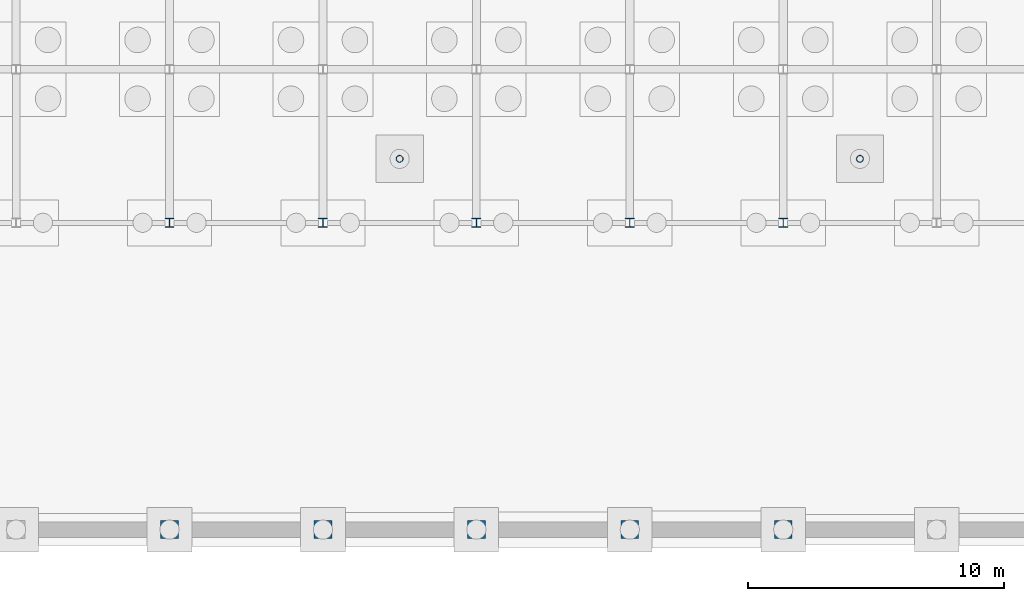
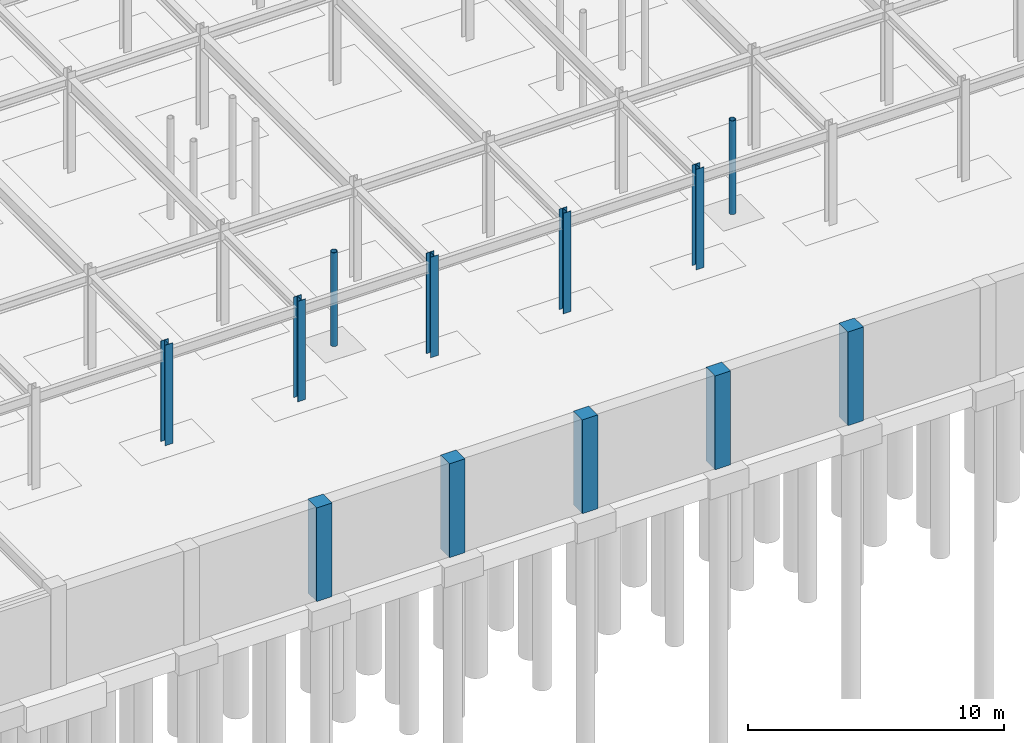
# One storey, part 16 of 69: 12 columns.
"""IFC4 building model written with IfcOpenShell, lengths in metres."""

from ifc_helpers import new_model, si_unit, direction, frame, origin, origin_2d, place, context, subcontext, project, spatial, rectangle, hollow_circle, i_section, extrude, material, material_profile, profile_set, type_object, element, save


model = new_model("IFC4")

# Units and contexts
model_context = context("Model", 3, precision=1e-05, world=origin(), true_north=direction((0.0, 1.0)))
body_context = subcontext(model_context, "Body", "Model", "MODEL_VIEW")
ifc_project = project(units=[si_unit("LENGTHUNIT", "METRE"), si_unit("AREAUNIT", "SQUARE_METRE"), si_unit("VOLUMEUNIT", "CUBIC_METRE"), si_unit("PLANEANGLEUNIT", "RADIAN"), si_unit("MASSUNIT", "GRAM", prefix="KILO")], contexts=[model_context])

# Site, building, storey
site_placement = place(None, origin())
site = spatial("IfcSite", under=ifc_project, at=site_placement, CompositionType="ELEMENT")
building_placement = place(site_placement, origin())
building = spatial("IfcBuilding", under=site, at=building_placement, Name="Zlatovratsky Civic Hall", CompositionType="ELEMENT")
storey_placement = place(building_placement, frame((0.0, 0.0, -4.800048828125)))
storey = spatial("IfcBuildingStorey", under=building, at=storey_placement, Name="B1", CompositionType="ELEMENT", Elevation=-4.800048828125)

# Columns
ifc_material_1 = material(Name="Concrete C35/45 (B40)", Category="concrete")
ifc_material_profile_1 = material_profile(ifc_material_1, rectangle(XDim=0.699951171875, YDim=0.699951171875, at=origin_2d()), Name="RC 700x700")
ifc_profile_set_1 = profile_set([ifc_material_profile_1], Name="Concrete C35/45 (B40)")
column_type_1 = type_object("IfcColumnType", Name="Col_CorePier_RC700", PredefinedType="COLUMN", material=ifc_profile_set_1)
for number, where, z_axis, x_axis, name in (
    (1, (66.0, 0.0, 0.0), (0.0, 0.0, 1.0), (1.0, 0.0, 0.0), "CL-0011"),
    (2, (72.0, 0.0, 0.0), (0.0, 0.0, 1.0), (1.0, 0.0, 0.0), "CL-0012"),
    (3, (78.0, 0.0, 0.0), (0.0, 0.0, 1.0), (1.0, 0.0, 0.0), "CL-0013"),
    (4, (84.0, 0.0, 0.0), (0.0, 0.0, 1.0), (1.0, 0.0, 0.0), "CL-0014"),
    (5, (90.0, 0.0, 0.0), (0.0, 0.0, 1.0), (1.0, 0.0, 0.0), "CL-0015"),
):
    element("IfcColumn", number, at=place(storey_placement, frame(where, z_axis=z_axis, x_axis=x_axis)), inside=storey, type_object=column_type_1, Name=name, PredefinedType="COLUMN", context=body_context, shape_type="SweptSolid", body=[
        extrude(rectangle(XDim=0.699951171875, YDim=0.699951171875, at=origin_2d()), origin(), (0.0, 0.0, 1.0), 4.47998046875),
    ])
ifc_material_2 = material(Name="Steel S355", Category="steel")
ifc_material_profile_2 = material_profile(ifc_material_2, hollow_circle(Radius=0.136474609375, WallThickness=0.010009765625, at=origin_2d()), Name="CHS 273x10")
ifc_profile_set_2 = profile_set([ifc_material_profile_2], Name="Steel S355")
column_type_2 = type_object("IfcColumnType", Name="Col_Portico_CHS273", PredefinedType="COLUMN", material=ifc_profile_set_2)
for number, where, z_axis, x_axis, name in (
    (6, (75.0, 14.5, 0.0), (0.0, 0.0, 1.0), (1.0, 0.0, 0.0), "CL-2755"),
    (7, (93.0, 14.5, 0.0), (0.0, 0.0, 1.0), (1.0, 0.0, 0.0), "CL-2758"),
):
    element("IfcColumn", number, at=place(storey_placement, frame(where, z_axis=z_axis, x_axis=x_axis)), inside=storey, type_object=column_type_2, Name=name, PredefinedType="COLUMN", context=body_context, shape_type="SweptSolid", body=[
        extrude(hollow_circle(Radius=0.136474609375, WallThickness=0.010009765625, at=origin_2d()), origin(), (0.0, 0.0, 1.0), 4.47998046875),
    ])
ifc_material_profile_3 = material_profile(ifc_material_2, i_section(OverallWidth=0.35009765625, OverallDepth=0.35009765625, WebThickness=0.011962890625, FlangeThickness=0.01904296875, FilletRadius=0.02001953125, at=origin_2d()), Name="35K2")
ifc_profile_set_3 = profile_set([ifc_material_profile_3], Name="Steel S355")
column_type_3 = type_object("IfcColumnType", Name="Col_Steel_35K2", PredefinedType="COLUMN", material=ifc_profile_set_3)
for number, where, z_axis, x_axis, name in (
    (8, (66.0, 12.0, 0.0), (0.0, 0.0, 1.0), (1.0, 0.0, 0.0), "CL-0034"),
    (9, (72.0, 12.0, 0.0), (0.0, 0.0, 1.0), (1.0, 0.0, 0.0), "CL-0035"),
    (10, (78.0, 12.0, 0.0), (0.0, 0.0, 1.0), (1.0, 0.0, 0.0), "CL-0036"),
    (11, (84.0, 12.0, 0.0), (0.0, 0.0, 1.0), (1.0, 0.0, 0.0), "CL-0037"),
    (12, (90.0, 12.0, 0.0), (0.0, 0.0, 1.0), (1.0, 0.0, 0.0), "CL-0038"),
):
    element("IfcColumn", number, at=place(storey_placement, frame(where, z_axis=z_axis, x_axis=x_axis)), inside=storey, type_object=column_type_3, Name=name, PredefinedType="COLUMN", context=body_context, shape_type="SweptSolid", body=[
        extrude(i_section(OverallWidth=0.35009765625, OverallDepth=0.35009765625, WebThickness=0.011962890625, FlangeThickness=0.01904296875, FilletRadius=0.02001953125, at=origin_2d()), origin(), (0.0, 0.0, 1.0), 4.800048828125),
    ])

save(model, "model.ifc")
